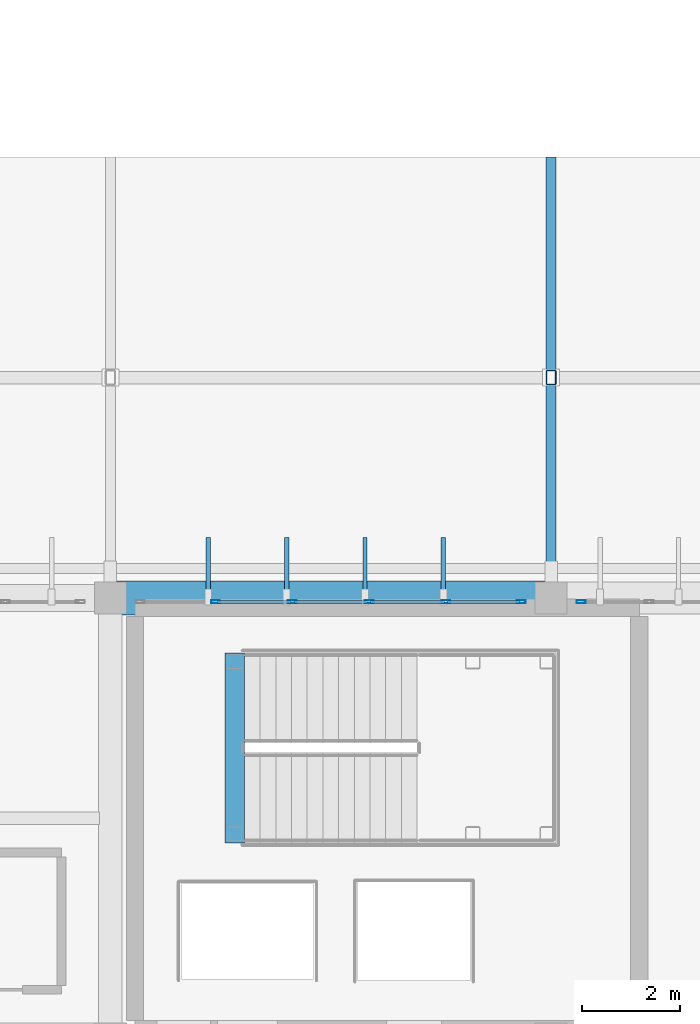
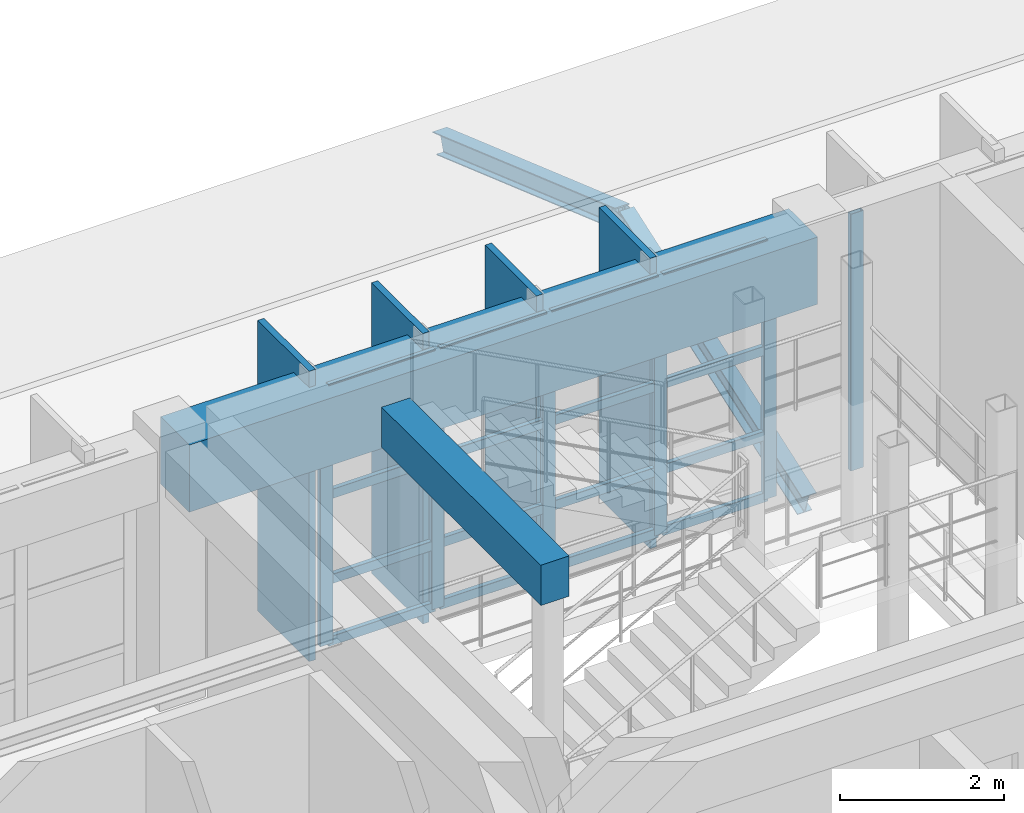
# One storey, part 44 of 80: 29 members, 2 beams, 2 elements without a shape of their own.
"""IFC4 building model written with IfcOpenShell, lengths in metres."""

from ifc_helpers import new_model, si_unit, direction, frame, origin, origin_2d, place, context, subcontext, project, spatial, rectangle, hollow_rectangle, i_section, extrude, material, material_profile, profile_set, type_object, element, aggregate, save


model = new_model("IFC4")

# Units and contexts
model_context = context("Model", 3, precision=1e-05, world=origin(), true_north=direction((0.0, 1.0)))
body_context = subcontext(model_context, "Body", "Model", "MODEL_VIEW")
ifc_project = project(units=[si_unit("LENGTHUNIT", "METRE"), si_unit("AREAUNIT", "SQUARE_METRE"), si_unit("VOLUMEUNIT", "CUBIC_METRE"), si_unit("PLANEANGLEUNIT", "RADIAN"), si_unit("MASSUNIT", "GRAM", prefix="KILO")], contexts=[model_context])

# Site, building, storey
site_placement = place(None, origin())
site = spatial("IfcSite", under=ifc_project, at=site_placement, CompositionType="ELEMENT")
building_placement = place(site_placement, origin())
building = spatial("IfcBuilding", under=site, at=building_placement, Name="Miravela Opera House", CompositionType="ELEMENT")
storey_placement = place(building_placement, frame((0.0, 0.0, 17.679931640625)))
storey = spatial("IfcBuildingStorey", under=building, at=storey_placement, Name="L04", CompositionType="ELEMENT", Elevation=17.679931640625)

# Curtain wall, members
ifc_material_1 = material(Name="Anodised architectural bronze aluminium 6063-T6", Category="aluminium")
curtain_wall_type = type_object("IfcCurtainWallType", Name="ARC-CW-02", PredefinedType="NOTDEFINED", material=ifc_material_1)
curtain_wall_1_placement = place(storey_placement, origin())
curtain_wall_1 = element("IfcCurtainWall", 1, at=curtain_wall_1_placement, inside=storey, type_object=curtain_wall_type, Name="Auditorium North Wrapper Glazing CW-L04-043", PredefinedType="NOTDEFINED")
ifc_material_profile_1 = material_profile(ifc_material_1, hollow_rectangle(XDim=0.06494140625, YDim=0.179931640625, WallThickness=0.00390625, InnerFilletRadius=0.001953125, OuterFilletRadius=0.00390625, at=origin_2d()), Name="CWM-65X180")
ifc_profile_set_1 = profile_set([ifc_material_profile_1])
member_type_1 = type_object("IfcMemberType", Name="ARC-CWM-180", PredefinedType="MULLION", material=ifc_profile_set_1)
member_1_placement = place(storey_placement, frame((47.14794921875, 74.919921875, 0.0), z_axis=(0.0, 0.0, 1.0), x_axis=(0.0, 1.0, 0.0)))
member_1 = element("IfcMember", 2, at=member_1_placement, type_object=member_type_1, Name="CW-02 mullion 2", PredefinedType="MULLION", context=body_context, shape_type="SweptSolid", body=[
    extrude(hollow_rectangle(XDim=0.06494140625, YDim=0.179931640625, WallThickness=0.00390625, InnerFilletRadius=0.001953125, OuterFilletRadius=0.00390625, at=origin_2d()), origin(), (0.0, 0.0, 1.0), 3.820068359375),
])
member_2_placement = place(storey_placement, frame((48.716064453125, 74.919921875, 0.0), z_axis=(0.0, 0.0, 1.0), x_axis=(0.0, 1.0, 0.0)))
member_2 = element("IfcMember", 3, at=member_2_placement, type_object=member_type_1, Name="CW-02 mullion 3", PredefinedType="MULLION", context=body_context, shape_type="SweptSolid", body=[
    extrude(hollow_rectangle(XDim=0.06494140625, YDim=0.179931640625, WallThickness=0.00390625, InnerFilletRadius=0.001953125, OuterFilletRadius=0.00390625, at=origin_2d()), origin(), (0.0, 0.0, 1.0), 3.820068359375),
])
member_3_placement = place(storey_placement, frame((50.283935546875, 74.919921875, 0.0), z_axis=(0.0, 0.0, 1.0), x_axis=(0.0, 1.0, 0.0)))
member_3 = element("IfcMember", 4, at=member_3_placement, type_object=member_type_1, Name="CW-02 mullion 4", PredefinedType="MULLION", context=body_context, shape_type="SweptSolid", body=[
    extrude(hollow_rectangle(XDim=0.06494140625, YDim=0.179931640625, WallThickness=0.00390625, InnerFilletRadius=0.001953125, OuterFilletRadius=0.00390625, at=origin_2d()), origin(), (0.0, 0.0, 1.0), 3.820068359375),
])
member_4_placement = place(storey_placement, frame((51.85205078125, 74.919921875, 0.0), z_axis=(0.0, 0.0, 1.0), x_axis=(0.0, 1.0, 0.0)))
member_4 = element("IfcMember", 5, at=member_4_placement, type_object=member_type_1, Name="CW-02 mullion 5", PredefinedType="MULLION", context=body_context, shape_type="SweptSolid", body=[
    extrude(hollow_rectangle(XDim=0.06494140625, YDim=0.179931640625, WallThickness=0.00390625, InnerFilletRadius=0.001953125, OuterFilletRadius=0.00390625, at=origin_2d()), origin(), (0.0, 0.0, 1.0), 3.820068359375),
])
member_5_placement = place(storey_placement, frame((53.387451171875, 74.919921875, 0.0), z_axis=(0.0, 0.0, 1.0), x_axis=(0.0, 1.0, 0.0)))
member_5 = element("IfcMember", 6, at=member_5_placement, type_object=member_type_1, Name="CW-02 mullion 6", PredefinedType="MULLION", context=body_context, shape_type="SweptSolid", body=[
    extrude(hollow_rectangle(XDim=0.06494140625, YDim=0.179931640625, WallThickness=0.00390625, InnerFilletRadius=0.001953125, OuterFilletRadius=0.00390625, at=origin_2d()), origin(), (0.0, 0.0, 1.0), 3.820068359375),
])

# Curtain wall, member
curtain_wall_2_placement = place(storey_placement, origin())
curtain_wall_2 = element("IfcCurtainWall", 7, at=curtain_wall_2_placement, inside=storey, type_object=curtain_wall_type, Name="Auditorium North Wrapper Glazing CW-L04-045", PredefinedType="NOTDEFINED")
member_6_placement = place(storey_placement, frame((54.612548828125, 74.919921875, 0.0), z_axis=(0.0, 0.0, 1.0), x_axis=(0.0, 1.0, 0.0)))
member_6 = element("IfcMember", 8, at=member_6_placement, type_object=member_type_1, Name="CW-02 mullion 1", PredefinedType="MULLION", context=body_context, shape_type="SweptSolid", body=[
    extrude(hollow_rectangle(XDim=0.06494140625, YDim=0.179931640625, WallThickness=0.00390625, InnerFilletRadius=0.001953125, OuterFilletRadius=0.00390625, at=origin_2d()), origin(), (0.0, 0.0, 1.0), 3.820068359375),
])
aggregate(curtain_wall_2, [member_6])

# Member
ifc_material_profile_2 = material_profile(ifc_material_1, hollow_rectangle(XDim=0.06494140625, YDim=0.139892578125, WallThickness=0.00390625, InnerFilletRadius=0.001953125, OuterFilletRadius=0.00390625, at=origin_2d()), Name="CWT-65X140")
ifc_profile_set_2 = profile_set([ifc_material_profile_2])
member_type_2 = type_object("IfcMemberType", Name="ARC-CWT-140", PredefinedType="USERDEFINED", material=ifc_profile_set_2)
member_7_placement = place(storey_placement, frame((47.180419921875, 74.919921875, 0.032470703125), z_axis=(1.0, 0.0, 0.0), x_axis=(0.0, 1.0, 0.0)))
member_7 = element("IfcMember", 9, at=member_7_placement, type_object=member_type_2, Name="CW-02 transom 2.1", ObjectType="TRANSOM", PredefinedType="USERDEFINED", context=body_context, shape_type="SweptSolid", body=[
    extrude(hollow_rectangle(XDim=0.06494140625, YDim=0.139892578125, WallThickness=0.00390625, InnerFilletRadius=0.001953125, OuterFilletRadius=0.00390625, at=origin_2d()), origin(), (0.0, 0.0, 1.0), 1.503173828125),
])

member_8_placement = place(storey_placement, frame((47.180419921875, 74.919921875, 0.949951171875), z_axis=(1.0, 0.0, 0.0), x_axis=(0.0, 1.0, 0.0)))
member_8 = element("IfcMember", 10, at=member_8_placement, type_object=member_type_2, Name="CW-02 transom 2.2", ObjectType="TRANSOM", PredefinedType="USERDEFINED", context=body_context, shape_type="SweptSolid", body=[
    extrude(hollow_rectangle(XDim=0.06494140625, YDim=0.139892578125, WallThickness=0.00390625, InnerFilletRadius=0.001953125, OuterFilletRadius=0.00390625, at=origin_2d()), origin(), (0.0, 0.0, 1.0), 1.503173828125),
])

member_9_placement = place(storey_placement, frame((47.180419921875, 74.919921875, 2.215576171875), z_axis=(1.0, 0.0, 0.0), x_axis=(0.0, 1.0, 0.0)))
member_9 = element("IfcMember", 11, at=member_9_placement, type_object=member_type_2, Name="CW-02 transom 2.3", ObjectType="TRANSOM", PredefinedType="USERDEFINED", context=body_context, shape_type="SweptSolid", body=[
    extrude(hollow_rectangle(XDim=0.06494140625, YDim=0.139892578125, WallThickness=0.00390625, InnerFilletRadius=0.001953125, OuterFilletRadius=0.00390625, at=origin_2d()), origin(), (0.0, 0.0, 1.0), 1.503173828125),
])

member_10_placement = place(storey_placement, frame((47.180419921875, 74.919921875, 3.78759765625), z_axis=(1.0, 0.0, 0.0), x_axis=(0.0, 1.0, 0.0)))
member_10 = element("IfcMember", 12, at=member_10_placement, type_object=member_type_2, Name="CW-02 transom 2.4", ObjectType="TRANSOM", PredefinedType="USERDEFINED", context=body_context, shape_type="SweptSolid", body=[
    extrude(hollow_rectangle(XDim=0.06494140625, YDim=0.139892578125, WallThickness=0.00390625, InnerFilletRadius=0.001953125, OuterFilletRadius=0.00390625, at=origin_2d()), origin(), (0.0, 0.0, 1.0), 1.503173828125),
])

member_11_placement = place(storey_placement, frame((48.74853515625, 74.919921875, 0.032470703125), z_axis=(1.0, 0.0, 0.0), x_axis=(0.0, 1.0, 0.0)))
member_11 = element("IfcMember", 13, at=member_11_placement, type_object=member_type_2, Name="CW-02 transom 3.1", ObjectType="TRANSOM", PredefinedType="USERDEFINED", context=body_context, shape_type="SweptSolid", body=[
    extrude(hollow_rectangle(XDim=0.06494140625, YDim=0.139892578125, WallThickness=0.00390625, InnerFilletRadius=0.001953125, OuterFilletRadius=0.00390625, at=origin_2d()), origin(), (0.0, 0.0, 1.0), 1.5029296875),
])

member_12_placement = place(storey_placement, frame((48.74853515625, 74.919921875, 0.949951171875), z_axis=(1.0, 0.0, 0.0), x_axis=(0.0, 1.0, 0.0)))
member_12 = element("IfcMember", 14, at=member_12_placement, type_object=member_type_2, Name="CW-02 transom 3.2", ObjectType="TRANSOM", PredefinedType="USERDEFINED", context=body_context, shape_type="SweptSolid", body=[
    extrude(hollow_rectangle(XDim=0.06494140625, YDim=0.139892578125, WallThickness=0.00390625, InnerFilletRadius=0.001953125, OuterFilletRadius=0.00390625, at=origin_2d()), origin(), (0.0, 0.0, 1.0), 1.5029296875),
])

member_13_placement = place(storey_placement, frame((48.74853515625, 74.919921875, 2.215576171875), z_axis=(1.0, 0.0, 0.0), x_axis=(0.0, 1.0, 0.0)))
member_13 = element("IfcMember", 15, at=member_13_placement, type_object=member_type_2, Name="CW-02 transom 3.3", ObjectType="TRANSOM", PredefinedType="USERDEFINED", context=body_context, shape_type="SweptSolid", body=[
    extrude(hollow_rectangle(XDim=0.06494140625, YDim=0.139892578125, WallThickness=0.00390625, InnerFilletRadius=0.001953125, OuterFilletRadius=0.00390625, at=origin_2d()), origin(), (0.0, 0.0, 1.0), 1.5029296875),
])

member_14_placement = place(storey_placement, frame((48.74853515625, 74.919921875, 3.78759765625), z_axis=(1.0, 0.0, 0.0), x_axis=(0.0, 1.0, 0.0)))
member_14 = element("IfcMember", 16, at=member_14_placement, type_object=member_type_2, Name="CW-02 transom 3.4", ObjectType="TRANSOM", PredefinedType="USERDEFINED", context=body_context, shape_type="SweptSolid", body=[
    extrude(hollow_rectangle(XDim=0.06494140625, YDim=0.139892578125, WallThickness=0.00390625, InnerFilletRadius=0.001953125, OuterFilletRadius=0.00390625, at=origin_2d()), origin(), (0.0, 0.0, 1.0), 1.5029296875),
])

member_15_placement = place(storey_placement, frame((50.31640625, 74.919921875, 0.032470703125), z_axis=(1.0, 0.0, 0.0), x_axis=(0.0, 1.0, 0.0)))
member_15 = element("IfcMember", 17, at=member_15_placement, type_object=member_type_2, Name="CW-02 transom 4.1", ObjectType="TRANSOM", PredefinedType="USERDEFINED", context=body_context, shape_type="SweptSolid", body=[
    extrude(hollow_rectangle(XDim=0.06494140625, YDim=0.139892578125, WallThickness=0.00390625, InnerFilletRadius=0.001953125, OuterFilletRadius=0.00390625, at=origin_2d()), origin(), (0.0, 0.0, 1.0), 1.503173828125),
])

member_16_placement = place(storey_placement, frame((50.31640625, 74.919921875, 0.949951171875), z_axis=(1.0, 0.0, 0.0), x_axis=(0.0, 1.0, 0.0)))
member_16 = element("IfcMember", 18, at=member_16_placement, type_object=member_type_2, Name="CW-02 transom 4.2", ObjectType="TRANSOM", PredefinedType="USERDEFINED", context=body_context, shape_type="SweptSolid", body=[
    extrude(hollow_rectangle(XDim=0.06494140625, YDim=0.139892578125, WallThickness=0.00390625, InnerFilletRadius=0.001953125, OuterFilletRadius=0.00390625, at=origin_2d()), origin(), (0.0, 0.0, 1.0), 1.503173828125),
])

member_17_placement = place(storey_placement, frame((50.31640625, 74.919921875, 2.215576171875), z_axis=(1.0, 0.0, 0.0), x_axis=(0.0, 1.0, 0.0)))
member_17 = element("IfcMember", 19, at=member_17_placement, type_object=member_type_2, Name="CW-02 transom 4.3", ObjectType="TRANSOM", PredefinedType="USERDEFINED", context=body_context, shape_type="SweptSolid", body=[
    extrude(hollow_rectangle(XDim=0.06494140625, YDim=0.139892578125, WallThickness=0.00390625, InnerFilletRadius=0.001953125, OuterFilletRadius=0.00390625, at=origin_2d()), origin(), (0.0, 0.0, 1.0), 1.503173828125),
])

member_18_placement = place(storey_placement, frame((50.31640625, 74.919921875, 3.78759765625), z_axis=(1.0, 0.0, 0.0), x_axis=(0.0, 1.0, 0.0)))
member_18 = element("IfcMember", 20, at=member_18_placement, type_object=member_type_2, Name="CW-02 transom 4.4", ObjectType="TRANSOM", PredefinedType="USERDEFINED", context=body_context, shape_type="SweptSolid", body=[
    extrude(hollow_rectangle(XDim=0.06494140625, YDim=0.139892578125, WallThickness=0.00390625, InnerFilletRadius=0.001953125, OuterFilletRadius=0.00390625, at=origin_2d()), origin(), (0.0, 0.0, 1.0), 1.503173828125),
])

member_19_placement = place(storey_placement, frame((51.884521484375, 74.919921875, 0.032470703125), z_axis=(1.0, 0.0, 0.0), x_axis=(0.0, 1.0, 0.0)))
member_19 = element("IfcMember", 21, at=member_19_placement, type_object=member_type_2, Name="CW-02 transom 5.1", ObjectType="TRANSOM", PredefinedType="USERDEFINED", context=body_context, shape_type="SweptSolid", body=[
    extrude(hollow_rectangle(XDim=0.06494140625, YDim=0.139892578125, WallThickness=0.00390625, InnerFilletRadius=0.001953125, OuterFilletRadius=0.00390625, at=origin_2d()), origin(), (0.0, 0.0, 1.0), 1.470458984375),
])

member_20_placement = place(storey_placement, frame((51.884521484375, 74.919921875, 0.949951171875), z_axis=(1.0, 0.0, 0.0), x_axis=(0.0, 1.0, 0.0)))
member_20 = element("IfcMember", 22, at=member_20_placement, type_object=member_type_2, Name="CW-02 transom 5.2", ObjectType="TRANSOM", PredefinedType="USERDEFINED", context=body_context, shape_type="SweptSolid", body=[
    extrude(hollow_rectangle(XDim=0.06494140625, YDim=0.139892578125, WallThickness=0.00390625, InnerFilletRadius=0.001953125, OuterFilletRadius=0.00390625, at=origin_2d()), origin(), (0.0, 0.0, 1.0), 1.470458984375),
])

member_21_placement = place(storey_placement, frame((51.884521484375, 74.919921875, 2.215576171875), z_axis=(1.0, 0.0, 0.0), x_axis=(0.0, 1.0, 0.0)))
member_21 = element("IfcMember", 23, at=member_21_placement, type_object=member_type_2, Name="CW-02 transom 5.3", ObjectType="TRANSOM", PredefinedType="USERDEFINED", context=body_context, shape_type="SweptSolid", body=[
    extrude(hollow_rectangle(XDim=0.06494140625, YDim=0.139892578125, WallThickness=0.00390625, InnerFilletRadius=0.001953125, OuterFilletRadius=0.00390625, at=origin_2d()), origin(), (0.0, 0.0, 1.0), 1.470458984375),
])

member_22_placement = place(storey_placement, frame((51.884521484375, 74.919921875, 3.78759765625), z_axis=(1.0, 0.0, 0.0), x_axis=(0.0, 1.0, 0.0)))
member_22 = element("IfcMember", 24, at=member_22_placement, type_object=member_type_2, Name="CW-02 transom 5.4", ObjectType="TRANSOM", PredefinedType="USERDEFINED", context=body_context, shape_type="SweptSolid", body=[
    extrude(hollow_rectangle(XDim=0.06494140625, YDim=0.139892578125, WallThickness=0.00390625, InnerFilletRadius=0.001953125, OuterFilletRadius=0.00390625, at=origin_2d()), origin(), (0.0, 0.0, 1.0), 1.470458984375),
])

aggregate(curtain_wall_1, [member_1, member_2, member_3, member_4, member_5, member_7, member_8, member_9, member_10, member_11, member_12, member_13, member_14, member_15, member_16, member_17, member_18, member_19, member_20, member_21, member_22])

# Members
ifc_material_profile_3 = material_profile(ifc_material_1, rectangle(XDim=0.090087890625, YDim=1.25, at=origin_2d()), Name="FIN-1250X90")
ifc_profile_set_3 = profile_set([ifc_material_profile_3])
member_type_3 = type_object("IfcMemberType", Name="ARC-FIN-1250", PredefinedType="USERDEFINED", material=ifc_profile_set_3)
for number, where, z_axis, x_axis, name in (
    (25, (47.0, 75.60498046875, -0.239990234375), (0.0, 0.0, 1.0), (1.0, 0.0, 0.0), "Auditorium Wrapper Bronze Solar Fin FIN-L04-NORTH-0129"),
    (26, (48.60009765625, 75.60498046875, -0.239990234375), (0.0, 0.0, 1.0), (1.0, 0.0, 0.0), "Auditorium Wrapper Bronze Solar Fin FIN-L04-NORTH-0131"),
    (27, (50.199951171875, 75.60498046875, -0.239990234375), (0.0, 0.0, 1.0), (1.0, 0.0, 0.0), "Auditorium Wrapper Bronze Solar Fin FIN-L04-NORTH-0133"),
    (28, (51.800048828125, 75.60498046875, -0.239990234375), (0.0, 0.0, 1.0), (1.0, 0.0, 0.0), "Auditorium Wrapper Bronze Solar Fin FIN-L04-NORTH-0135"),
):
    element("IfcMember", number, at=place(storey_placement, frame(where, z_axis=z_axis, x_axis=x_axis)), inside=storey, type_object=member_type_3, Name=name, ObjectType="FIN", PredefinedType="USERDEFINED", context=body_context, shape_type="SweptSolid", body=[
        extrude(rectangle(XDim=0.090087890625, YDim=1.25, at=origin_2d()), origin(), (0.0, 0.0, 1.0), 4.320068359375),
    ])

# Beams
ifc_material_2 = material(Name="Concrete C35/45", Category="concrete")
ifc_material_profile_4 = material_profile(ifc_material_2, rectangle(XDim=0.39990234375, YDim=0.60009765625, at=origin_2d()), Name="RC-BM-400X600")
ifc_profile_set_4 = profile_set([ifc_material_profile_4])
beam_type_1 = type_object("IfcBeamType", Name="STR-BM-RC400X600", PredefinedType="JOIST", material=ifc_profile_set_4)
beam_1_placement = place(storey_placement, frame((47.5400390625, 70.0, 3.780029296875), z_axis=(0.0, 1.0, 0.0), x_axis=(-1.0, 0.0, 0.0)))
element("IfcBeam", 29, at=beam_1_placement, inside=storey, type_object=beam_type_1, Name="Stair K1 Opening Header Trimmer Beam 05", PredefinedType="JOIST", context=body_context, shape_type="SweptSolid", body=[
    extrude(rectangle(XDim=0.39990234375, YDim=0.60009765625, at=origin_2d()), origin(), (0.0, 0.0, 1.0), 3.8798828125),
])
ifc_material_3 = material(Name="Concrete C40/50", Category="concrete")
ifc_material_profile_5 = material_profile(ifc_material_3, rectangle(XDim=0.699951171875, YDim=1.0, at=origin_2d()), Name="RC-BM-700X1000")
ifc_profile_set_5 = profile_set([ifc_material_profile_5])
beam_type_2 = type_object("IfcBeamType", Name="STR-BM-RC700X1000", PredefinedType="BEAM", material=ifc_profile_set_5)
beam_2_placement = place(storey_placement, frame((45.080078125, 75.0, 3.340087890625), z_axis=(1.0, 0.0, 0.0), x_axis=(0.0, 1.0, 0.0)))
element("IfcBeam", 30, at=beam_2_placement, inside=storey, type_object=beam_type_2, Name="Floor Girder L04 6-7/I", PredefinedType="BEAM", context=body_context, shape_type="SweptSolid", body=[
    extrude(rectangle(XDim=0.699951171875, YDim=1.0, at=origin_2d()), origin(), (0.0, 0.0, 1.0), 8.83984375),
])

# Members
ifc_material_4 = material(Name="Hollow structural steel ASTM A500 Gr. C", Category="steel")
ifc_material_profile_6 = material_profile(ifc_material_4, hollow_rectangle(XDim=0.199951171875, YDim=0.300048828125, WallThickness=0.011962890625, InnerFilletRadius=0.011962890625, OuterFilletRadius=0.02392578125, at=origin_2d()), Name="HSS300X200X12")
ifc_profile_set_6 = profile_set([ifc_material_profile_6])
member_type_4 = type_object("IfcMemberType", Name="STR-MEM-POST-HSS300X200", PredefinedType="POST", material=ifc_profile_set_6)
member_23_placement = place(storey_placement, frame((54.0, 79.5, -0.25), z_axis=(0.0, 0.0, 1.0), x_axis=(1.0, 0.0, 0.0)))
element("IfcMember", 31, at=member_23_placement, inside=storey, type_object=member_type_4, Name="Roof Ridge Support Post ROOF-V3-WEST-S M4", PredefinedType="POST", context=body_context, shape_type="SweptSolid", body=[
    extrude(hollow_rectangle(XDim=0.199951171875, YDim=0.300048828125, WallThickness=0.011962890625, InnerFilletRadius=0.011962890625, OuterFilletRadius=0.02392578125, at=origin_2d()), origin(), (0.0, 0.0, 1.0), 1.510009765625),
])
ifc_material_5 = material(Name="Structural steel ASTM A992 Gr. 50", Category="steel")
ifc_material_profile_7 = material_profile(ifc_material_5, i_section(OverallWidth=0.2041015625, OverallDepth=0.35009765625, WebThickness=0.008544921875, FlangeThickness=0.01513671875, FilletRadius=0.013916015625, at=origin_2d()), Name="W360X72")
ifc_profile_set_7 = profile_set([ifc_material_profile_7])
member_type_5 = type_object("IfcMemberType", Name="STR-MEM-RAFTER-1", PredefinedType="RAFTER", material=ifc_profile_set_7)
member_24_placement = place(storey_placement, frame((54.0, 75.050048828125, -0.39990234375), z_axis=(0.0, 0.943687918104, 0.3308369889), x_axis=(-1.0, 0.0, 0.0)))
element("IfcMember", 32, at=member_24_placement, inside=storey, type_object=member_type_5, Name="Pitched Roof Rafter ROOF-V3-WEST-S S4", PredefinedType="RAFTER", context=body_context, shape_type="SweptSolid", body=[
    extrude(i_section(OverallWidth=0.2041015625, OverallDepth=0.35009765625, WebThickness=0.008544921875, FlangeThickness=0.01513671875, FilletRadius=0.013916015625, at=origin_2d()), origin(), (0.0, 0.0, 1.0), 4.715576171875),
])
ifc_material_profile_8 = material_profile(ifc_material_5, i_section(OverallWidth=0.202880859375, OverallDepth=0.302978515625, WebThickness=0.007568359375, FlangeThickness=0.01318359375, FilletRadius=0.012939453125, at=origin_2d()), Name="W310X60")
ifc_profile_set_8 = profile_set([ifc_material_profile_8])
member_type_6 = type_object("IfcMemberType", Name="STR-MEM-RAFTER-2", PredefinedType="RAFTER", material=ifc_profile_set_8)
member_25_placement = place(storey_placement, frame((54.0, 83.949951171875, -0.39990234375), z_axis=(0.0, -0.943687918104, 0.3308369889), x_axis=(1.0, 0.0, 0.0)))
element("IfcMember", 33, at=member_25_placement, inside=storey, type_object=member_type_6, Name="Pitched Roof Rafter ROOF-V3-WEST-S N4", PredefinedType="RAFTER", context=body_context, shape_type="SweptSolid", body=[
    extrude(i_section(OverallWidth=0.202880859375, OverallDepth=0.302978515625, WebThickness=0.007568359375, FlangeThickness=0.01318359375, FilletRadius=0.012939453125, at=origin_2d()), origin(), (0.0, 0.0, 1.0), 4.715576171875),
])

save(model, "model.ifc")
